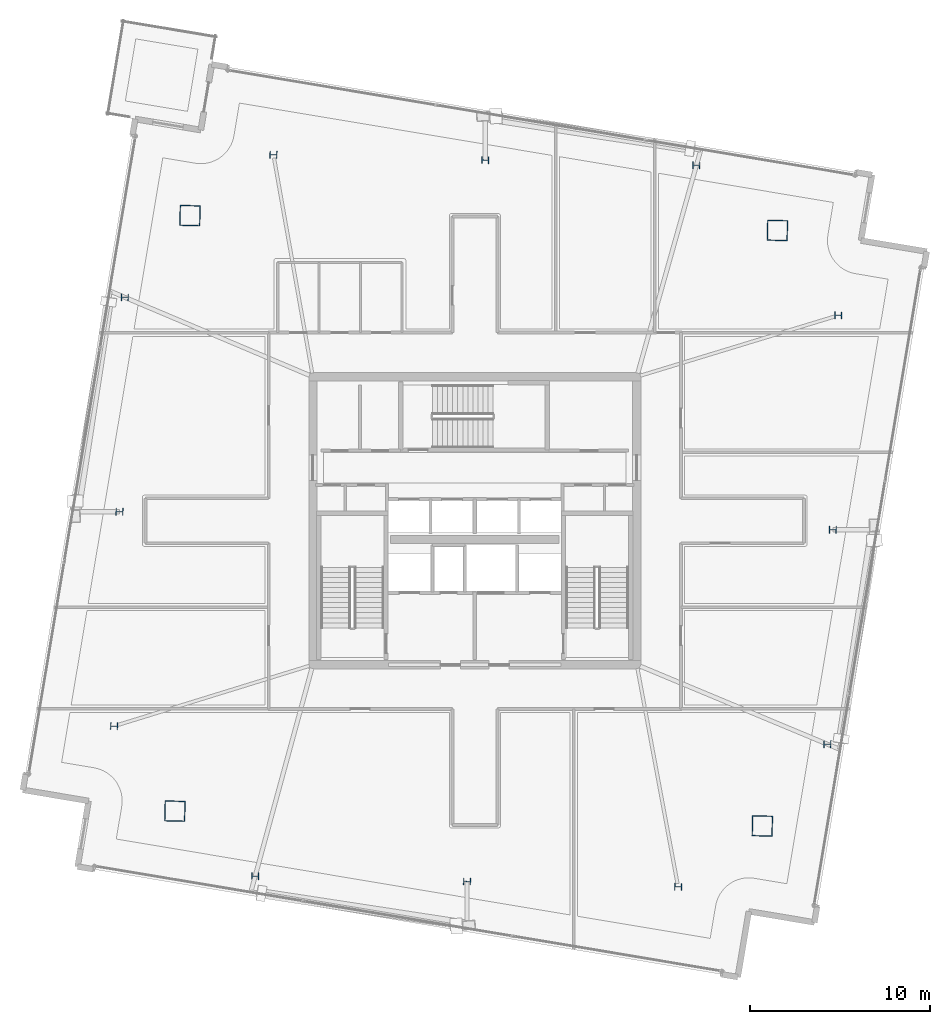
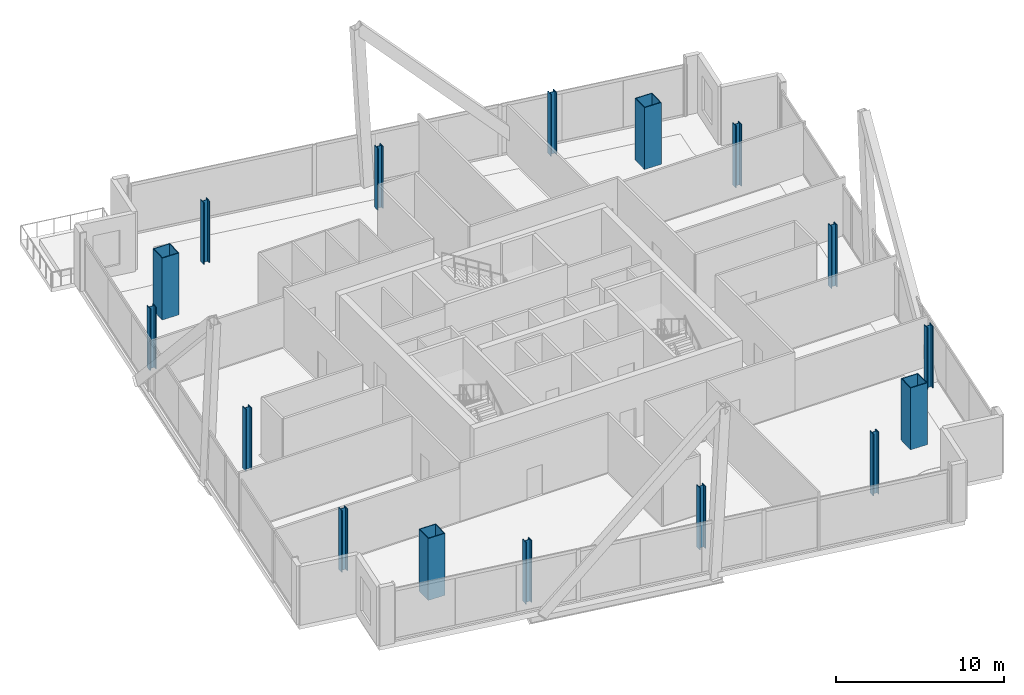
# One storey, part 1 of 18: 16 columns.
"""IFC4 building model written with IfcOpenShell, lengths in metres."""

from ifc_helpers import new_model, si_unit, direction, frame, origin, origin_2d, place, context, subcontext, project, spatial, hollow_rectangle, i_section, extrude, material, material_profile, profile_set, type_object, element, save


model = new_model("IFC4")

# Units and contexts
model_context = context("Model", 3, precision=1e-05, world=origin(), true_north=direction((0.0, 1.0)))
body_context = subcontext(model_context, "Body", "Model", "MODEL_VIEW")
ifc_project = project(units=[si_unit("LENGTHUNIT", "METRE"), si_unit("AREAUNIT", "SQUARE_METRE"), si_unit("VOLUMEUNIT", "CUBIC_METRE"), si_unit("PLANEANGLEUNIT", "RADIAN"), si_unit("MASSUNIT", "GRAM", prefix="KILO")], contexts=[model_context])

# Site, building, storey
site_placement = place(None, origin())
site = spatial("IfcSite", under=ifc_project, at=site_placement, CompositionType="ELEMENT")
building_placement = place(site_placement, origin())
building = spatial("IfcBuilding", under=site, at=building_placement, Name="Haldenkirk Collegiate Tower", CompositionType="ELEMENT")
storey_placement = place(building_placement, frame((0.0, 0.0, 298.199951171875)))
storey = spatial("IfcBuildingStorey", under=building, at=storey_placement, Name="L75", CompositionType="ELEMENT", Elevation=298.199951171875)

# Columns
ifc_material_1 = material(Name="Steel ASTM A913 Grade 65", Category="steel")
ifc_material_profile_1 = material_profile(ifc_material_1, i_section(OverallWidth=0.406005859375, OverallDepth=0.416015625, WebThickness=0.02978515625, FlangeThickness=0.048095703125, at=origin_2d()), Name="W14X257")
ifc_profile_set_1 = profile_set([ifc_material_profile_1], Name="Steel ASTM A913 Grade 65")
column_type_1 = type_object("IfcColumnType", Name="COL-INT-W14X257", PredefinedType="COLUMN", material=ifc_profile_set_1)
for number, where, z_axis, x_axis, name in (
    (1, (55.592041015625, 13.584228515625, 0.0), (0.0, 0.0, 1.0), (0.025304572866, 0.999679788028, 0.0), "L75 perimeter gravity column PC-S1"),
    (2, (55.8935546875, 25.496337890625, 0.0), (0.0, 0.0, 1.0), (0.025304572866, 0.999679788028, 0.0), "L75 perimeter gravity column PC-S2"),
    (3, (56.1953125, 37.40869140625, 0.0), (0.0, 0.0, 1.0), (0.025304572866, 0.999679788028, 0.0), "L75 perimeter gravity column PC-S3"),
    (4, (48.3115234375, 45.744873046875, 0.0), (0.0, 0.0, 1.0), (0.025304572866, 0.999679788028, 0.0), "L75 perimeter gravity column PC-E1"),
    (5, (36.582275390625, 46.041748046875, 0.0), (0.0, 0.0, 1.0), (0.025304572866, 0.999679788028, 0.0), "L75 perimeter gravity column PC-E2"),
    (6, (24.81103515625, 46.339599609375, 0.0), (0.0, 0.0, 1.0), (0.025304572866, 0.999679788028, 0.0), "L75 perimeter gravity column PC-E3"),
    (7, (16.557861328125, 38.411865234375, 0.0), (0.0, 0.0, 1.0), (0.025304572866, 0.999679788028, 0.0), "L75 perimeter gravity column PC-N1"),
    (8, (16.25634765625, 26.499755859375, 0.0), (0.0, 0.0, 1.0), (0.025304572866, 0.999679788028, 0.0), "L75 perimeter gravity column PC-N2"),
    (9, (15.954833984375, 14.587646484375, 0.0), (0.0, 0.0, 1.0), (0.025304572866, 0.999679788028, 0.0), "L75 perimeter gravity column PC-N3"),
    (10, (23.79638671875, 6.25244140625, 0.0), (0.0, 0.0, 1.0), (0.025304572866, 0.999679788028, 0.0), "L75 perimeter gravity column PC-W1"),
    (11, (35.567626953125, 5.95458984375, 0.0), (0.0, 0.0, 1.0), (0.025304572866, 0.999679788028, 0.0), "L75 perimeter gravity column PC-W2"),
    (12, (47.296875, 5.65771484375, 0.0), (0.0, 0.0, 1.0), (0.025304572866, 0.999679788028, 0.0), "L75 perimeter gravity column PC-W3"),
):
    element("IfcColumn", number, at=place(storey_placement, frame(where, z_axis=z_axis, x_axis=x_axis)), inside=storey, type_object=column_type_1, Name=name, PredefinedType="COLUMN", context=body_context, shape_type="SweptSolid", body=[
        extrude(i_section(OverallWidth=0.406005859375, OverallDepth=0.416015625, WebThickness=0.02978515625, FlangeThickness=0.048095703125, at=origin_2d()), origin(), (0.0, 0.0, 1.0), 4.5),
    ])
ifc_material_2 = material(Name="Steel ASTM A572 Grade 50", Category="steel")
ifc_material_profile_2 = material_profile(ifc_material_2, hollow_rectangle(XDim=1.14990234375, YDim=1.14990234375, WallThickness=0.050048828125, at=origin_2d()), Name="BOX1150X1150X50")
ifc_profile_set_2 = profile_set([ifc_material_profile_2], Name="Steel ASTM A572 Grade 50")
column_type_2 = type_object("IfcColumnType", Name="COL-MEGA-BOX1150X1150X50", PredefinedType="COLUMN", material=ifc_profile_set_2)
for number, where, z_axis, x_axis, name in (
    (13, (51.97607421875, 9.040283203125, 0.0), (0.0, 0.0, 1.0), (0.025304572866, 0.999679788028, 0.0), "L75 corner mega-column MC1"),
    (14, (52.8134765625, 42.129638671875, 0.0), (0.0, 0.0, 1.0), (0.025304572866, 0.999679788028, 0.0), "L75 corner mega-column MC2"),
    (15, (20.174072265625, 42.955810546875, 0.0), (0.0, 0.0, 1.0), (0.025304572866, 0.999679788028, 0.0), "L75 corner mega-column MC3"),
    (16, (19.33642578125, 9.866455078125, 0.0), (0.0, 0.0, 1.0), (0.025304572866, 0.999679788028, 0.0), "L75 corner mega-column MC4"),
):
    element("IfcColumn", number, at=place(storey_placement, frame(where, z_axis=z_axis, x_axis=x_axis)), inside=storey, type_object=column_type_2, Name=name, PredefinedType="COLUMN", context=body_context, shape_type="SweptSolid", body=[
        extrude(hollow_rectangle(XDim=1.14990234375, YDim=1.14990234375, WallThickness=0.050048828125, at=origin_2d()), origin(), (0.0, 0.0, 1.0), 4.5),
    ])

save(model, "model.ifc")
